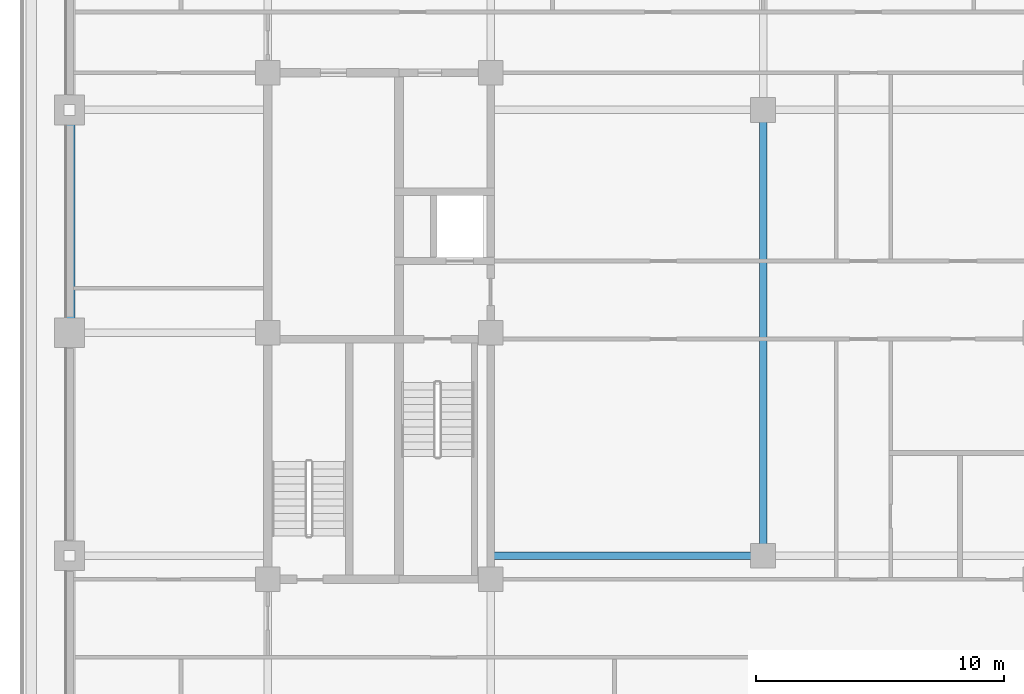
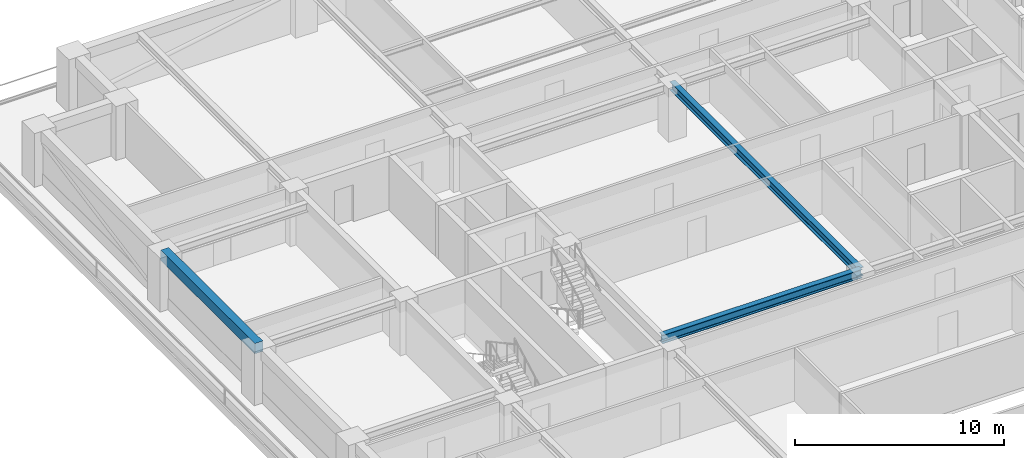
# One storey, part 3 of 17: 3 beams.
"""IFC4 building model written with IfcOpenShell, lengths in metres."""

from ifc_helpers import new_model, si_unit, direction, frame, origin, origin_2d, place, context, subcontext, project, spatial, rectangle, i_section, extrude, material, material_profile, profile_set, type_object, element, save


model = new_model("IFC4")

# Units and contexts
model_context = context("Model", 3, precision=1e-05, world=origin(), true_north=direction((0.0, 1.0)))
body_context = subcontext(model_context, "Body", "Model", "MODEL_VIEW")
ifc_project = project(units=[si_unit("LENGTHUNIT", "METRE"), si_unit("AREAUNIT", "SQUARE_METRE"), si_unit("VOLUMEUNIT", "CUBIC_METRE"), si_unit("PLANEANGLEUNIT", "RADIAN"), si_unit("MASSUNIT", "GRAM", prefix="KILO")], contexts=[model_context])

# Site, building, storey
site_placement = place(None, origin())
site = spatial("IfcSite", under=ifc_project, at=site_placement, CompositionType="ELEMENT")
building_placement = place(site_placement, origin())
building = spatial("IfcBuilding", under=site, at=building_placement, Name="Zulmaris Gate Convention Tower", CompositionType="ELEMENT")
storey_placement = place(building_placement, frame((0.0, 0.0, 149.909912109375)))
storey = spatial("IfcBuildingStorey", under=building, at=storey_placement, Name="L38", CompositionType="ELEMENT", Elevation=149.909912109375)

# Beams
ifc_material_1 = material(Name="Steel S355", Category="steel")
ifc_material_profile_1 = material_profile(ifc_material_1, i_section(OverallWidth=0.300048828125, OverallDepth=0.5, WebThickness=0.014404296875, FlangeThickness=0.028076171875, FilletRadius=0.027099609375, at=origin_2d()), Name="HEB 500")
ifc_profile_set_1 = profile_set([ifc_material_profile_1], Name="Steel S355")
beam_type_1 = type_object("IfcBeamType", Name="BM-HEB500", PredefinedType="BEAM", material=ifc_profile_set_1)
beam_1_placement = place(storey_placement, frame((-11.0, -9.0, 2.89306640625), z_axis=(1.0, 0.0, 0.0), x_axis=(0.0, 1.0, 0.0)))
element("IfcBeam", 1, at=beam_1_placement, inside=storey, type_object=beam_type_1, Name="L38 Beam BM-L38-G01", PredefinedType="BEAM", context=body_context, shape_type="SweptSolid", body=[
    extrude(i_section(OverallWidth=0.300048828125, OverallDepth=0.5, WebThickness=0.014404296875, FlangeThickness=0.028076171875, FilletRadius=0.027099609375, at=origin_2d()), origin(), (0.0, 0.0, 1.0), 11.0),
])
beam_2_placement = place(storey_placement, frame((0.0, -9.0, 2.89306640625), z_axis=(0.0, 1.0, 0.0), x_axis=(-1.0, 0.0, 0.0)))
element("IfcBeam", 2, at=beam_2_placement, inside=storey, type_object=beam_type_1, Name="L38 Beam BM-L38-G06", PredefinedType="BEAM", context=body_context, shape_type="SweptSolid", body=[
    extrude(i_section(OverallWidth=0.300048828125, OverallDepth=0.5, WebThickness=0.014404296875, FlangeThickness=0.028076171875, FilletRadius=0.027099609375, at=origin_2d()), origin(), (0.0, 0.0, 1.0), 18.0),
])
ifc_material_2 = material(Name="Precast concrete C50/60", Category="concrete")
ifc_material_profile_2 = material_profile(ifc_material_2, rectangle(XDim=0.449951171875, YDim=0.60009765625, at=origin_2d()), Name="RC SPANDREL 450x600")
ifc_profile_set_2 = profile_set([ifc_material_profile_2], Name="Precast concrete C50/60")
beam_type_2 = type_object("IfcBeamType", Name="BM-SP450x600", PredefinedType="SPANDREL", material=ifc_profile_set_2)
beam_3_placement = place(storey_placement, frame((-28.0, 9.0, 2.844970703125), z_axis=(0.0, -1.0, 0.0), x_axis=(1.0, 0.0, 0.0)))
element("IfcBeam", 3, at=beam_3_placement, inside=storey, type_object=beam_type_2, Name="L38 Spandrel SP-L38-20", PredefinedType="SPANDREL", context=body_context, shape_type="SweptSolid", body=[
    extrude(rectangle(XDim=0.449951171875, YDim=0.60009765625, at=origin_2d()), origin(), (0.0, 0.0, 1.0), 9.0),
])

save(model, "model.ifc")
